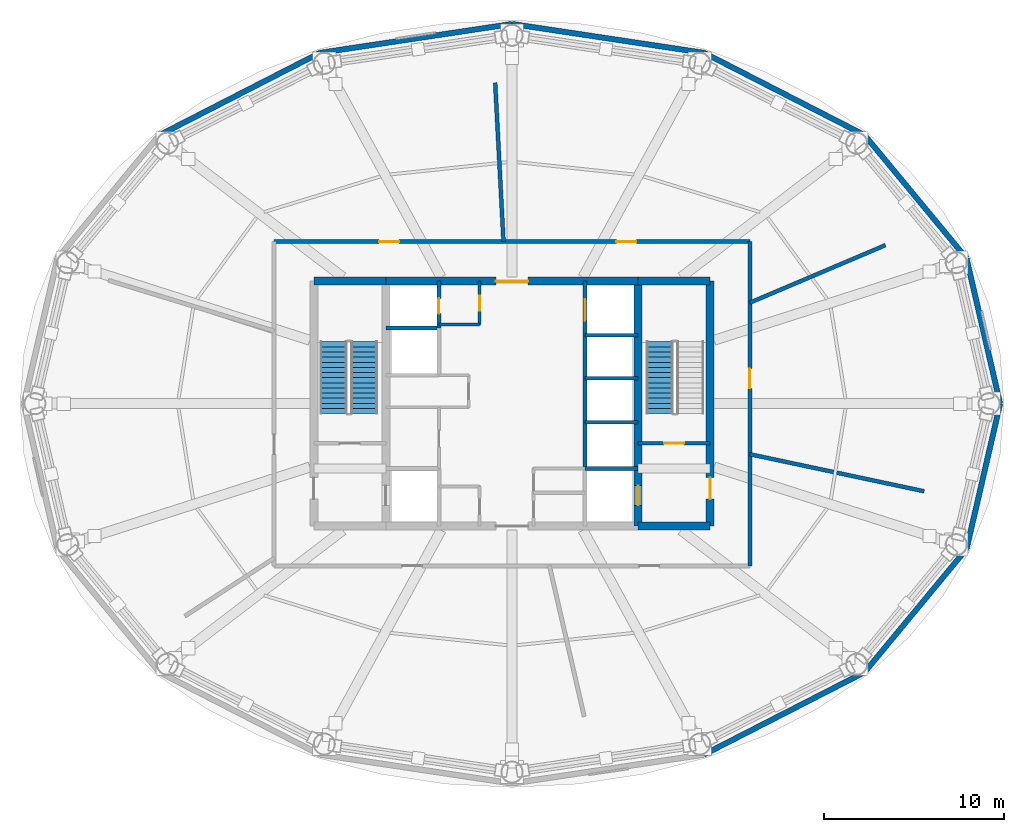
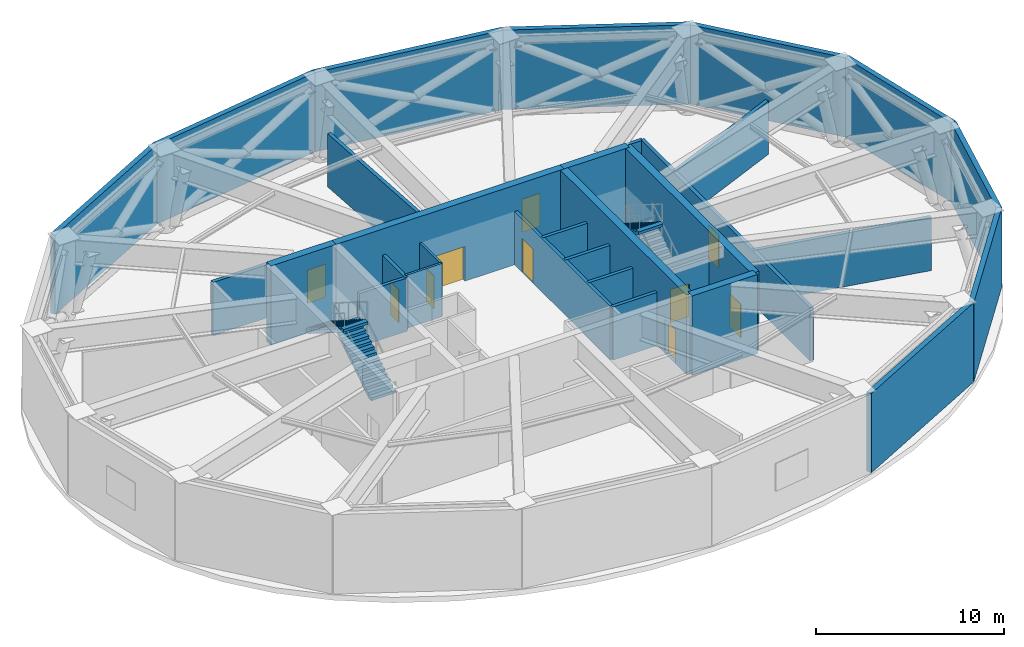
# One storey, part 6 of 8: 30 walls, 10 doors, 3 stair flights, 10 openings, 2 elements without a shape of their own.
"""IFC4 building model written with IfcOpenShell, lengths in metres."""

from ifc_helpers import new_model, si_unit, direction, frame, frame_2d, origin, place, context, subcontext, project, spatial, polyline, rectangle, outline, extrude, material, layer, layer_set, type_object, element, fill, aggregate, save


model = new_model("IFC4")

# Units and contexts
model_context = context("Model", 3, precision=1e-05, world=origin(), true_north=direction((0.0, 1.0)))
body_context = subcontext(model_context, "Body", "Model", "MODEL_VIEW")
ifc_project = project(units=[si_unit("LENGTHUNIT", "METRE"), si_unit("AREAUNIT", "SQUARE_METRE"), si_unit("VOLUMEUNIT", "CUBIC_METRE"), si_unit("PLANEANGLEUNIT", "RADIAN"), si_unit("MASSUNIT", "GRAM", prefix="KILO")], contexts=[model_context])

# Site, building, storey
site_placement = place(None, origin())
site = spatial("IfcSite", under=ifc_project, at=site_placement, CompositionType="ELEMENT")
building_placement = place(site_placement, origin())
building = spatial("IfcBuilding", under=site, at=building_placement, Name="Sarneth Arch Tower", CompositionType="ELEMENT")
storey_placement = place(building_placement, frame((0.0, 0.0, 201.0)))
storey = spatial("IfcBuildingStorey", under=building, at=storey_placement, Name="L51", CompositionType="ELEMENT", Elevation=201.0)

# Walls
ifc_material_1 = material(Name="Concrete C50/60", Category="concrete")
ifc_layer_1 = layer(ifc_material_1, 0.449951171875)
ifc_layer_set_1 = layer_set([ifc_layer_1], Name="Concrete C50/60")
wall_type_1 = type_object("IfcWallType", Name="WALL-CORE-450", PredefinedType="SHEAR", material=ifc_layer_set_1)
for number, where, z_axis, x_axis, name in (
    (1, (55.0, 35.199951171875, 0.0), (0.0, 0.0, 1.0), (1.0, 0.0, 0.0), "L51 Core shear wall S-E"),
    (2, (37.0, 48.800048828125, 0.0), (0.0, 0.0, 1.0), (1.0, 0.0, 0.0), "L51 Core shear wall N-W"),
):
    element("IfcWall", number, at=place(storey_placement, frame(where, z_axis=z_axis, x_axis=x_axis)), inside=storey, type_object=wall_type_1, Name=name, PredefinedType="SHEAR", context=body_context, shape_type="SweptSolid", body=[
        extrude(rectangle(XDim=4.0, YDim=0.449951171875, at=frame_2d((2.0, 0.0))), origin(), (0.0, 0.0, 1.0), 5.14990234375),
    ])

# Wall, opening, door
wall_1_placement = place(storey_placement, frame((41.0, 48.800048828125, 0.0), z_axis=(0.0, 0.0, 1.0), x_axis=(1.0, 0.0, 0.0)))
wall_1 = element("IfcWall", 3, at=wall_1_placement, inside=storey, type_object=wall_type_1, Name="L51 Core shear wall N-M", PredefinedType="SHEAR", context=body_context, shape_type="SweptSolid", body=[
    extrude(rectangle(XDim=14.0, YDim=0.449951171875, at=frame_2d((7.0, 0.0))), origin(), (0.0, 0.0, 1.0), 5.14990234375),
])
opening_1_placement = place(wall_1_placement, frame((6.10009765625, 0.0, 0.0)))
opening_1 = element("IfcOpeningElement", 4, at=opening_1_placement, cuts=wall_1, Name="Opening FD-01", PredefinedType="OPENING", context=body_context, shape_type="SweptSolid", body=[
    extrude(rectangle(XDim=1.800048828125, YDim=2.25, at=frame_2d((0.89990234375, 1.125))), frame((0.0, 0.23486328125, 0.0), z_axis=(0.0, -1.0, 0.0), x_axis=(1.0, 0.0, 0.0)), (0.0, 0.0, 1.0), 0.469970703125),
])
ifc_material_2 = material(Name="Galvanised Steel S275 fire door set", Category="steel")
door_type_1 = type_object("IfcDoorType", Name="DR-FD90-1800", OperationType="DOUBLE_DOOR_SINGLE_SWING", PredefinedType="DOOR", material=ifc_material_2)
door_1_placement = place(opening_1_placement, origin())
door_1 = element("IfcDoor", 5, at=door_1_placement, inside=storey, type_object=door_type_1, Name="L51 Central lift lobby north door", OperationType="DOUBLE_DOOR_SINGLE_SWING", OverallHeight=2.25, OverallWidth=1.800048828125, PredefinedType="DOOR", context=body_context, shape_type="SweptSolid", body=[
    extrude(rectangle(XDim=1.800048828125, YDim=2.25, at=frame_2d((0.89990234375, 1.125))), frame((0.0, 0.02490234375, 0.0), z_axis=(0.0, -1.0, 0.0), x_axis=(1.0, 0.0, 0.0)), (0.0, 0.0, 1.0), 0.050048828125),
])
fill(opening_1, door_1)

# Wall
wall_2_placement = place(storey_placement, frame((55.0, 48.800048828125, 0.0), z_axis=(0.0, 0.0, 1.0), x_axis=(1.0, 0.0, 0.0)))
element("IfcWall", 6, at=wall_2_placement, inside=storey, type_object=wall_type_1, Name="L51 Core shear wall N-E", PredefinedType="SHEAR", context=body_context, shape_type="SweptSolid", body=[
    extrude(rectangle(XDim=4.0, YDim=0.449951171875, at=frame_2d((2.0, 0.0))), origin(), (0.0, 0.0, 1.0), 5.14990234375),
])

# Wall, opening, door
wall_3_placement = place(storey_placement, frame((59.0, 35.199951171875, 0.0), z_axis=(0.0, 0.0, 1.0), x_axis=(0.0, 1.0, 0.0)))
wall_3 = element("IfcWall", 7, at=wall_3_placement, inside=storey, type_object=wall_type_1, Name="L51 Core shear wall E", PredefinedType="SHEAR", context=body_context, shape_type="SweptSolid", body=[
    extrude(rectangle(XDim=13.60009765625, YDim=0.449951171875, at=frame_2d((6.800048828125, 0.0))), origin(), (0.0, 0.0, 1.0), 5.14990234375),
])
opening_2_placement = place(wall_3_placement, frame((1.5, 0.0, 0.0)))
opening_2 = element("IfcOpeningElement", 8, at=opening_2_placement, cuts=wall_3, Name="Opening FD-02", PredefinedType="OPENING", context=body_context, shape_type="SweptSolid", body=[
    extrude(rectangle(XDim=1.199951171875, YDim=2.14990234375, at=frame_2d((0.60009765625, 1.074951171875))), frame((0.0, 0.23486328125, 0.0), z_axis=(0.0, -1.0, 0.0), x_axis=(1.0, 0.0, 0.0)), (0.0, 0.0, 1.0), 0.469970703125),
])
ifc_material_3 = material(Name="Galvanised Steel S275 fire door set", Category="steel")
door_type_2 = type_object("IfcDoorType", Name="DR-FD90-1200", OperationType="SINGLE_SWING_LEFT", PredefinedType="DOOR", material=ifc_material_3)
door_2_placement = place(opening_2_placement, origin())
door_2 = element("IfcDoor", 9, at=door_2_placement, inside=storey, type_object=door_type_2, Name="L51 Firefighting lobby 2 exit door", OperationType="SINGLE_SWING_RIGHT", OverallHeight=2.14990234375, OverallWidth=1.199951171875, PredefinedType="DOOR", context=body_context, shape_type="SweptSolid", body=[
    extrude(rectangle(XDim=1.199951171875, YDim=2.14990234375, at=frame_2d((0.60009765625, 1.074951171875))), frame((0.0, 0.02490234375, 0.0), z_axis=(0.0, -1.0, 0.0), x_axis=(1.0, 0.0, 0.0)), (0.0, 0.0, 1.0), 0.050048828125),
])
fill(opening_2, door_2)

wall_4_placement = place(storey_placement, frame((55.0, 35.199951171875, 0.0), z_axis=(0.0, 0.0, 1.0), x_axis=(0.0, 1.0, 0.0)))
wall_4 = element("IfcWall", 10, at=wall_4_placement, inside=storey, type_object=wall_type_1, Name="L51 Core shear wall WEB-E", PredefinedType="SHEAR", context=body_context, shape_type="SweptSolid", body=[
    extrude(rectangle(XDim=13.60009765625, YDim=0.449951171875, at=frame_2d((6.800048828125, 0.0))), origin(), (0.0, 0.0, 1.0), 5.14990234375),
])
opening_3_placement = place(wall_4_placement, frame((1.14990234375, 0.0, 0.0)))
opening_3 = element("IfcOpeningElement", 11, at=opening_3_placement, cuts=wall_4, Name="Opening LD-1", PredefinedType="OPENING", context=body_context, shape_type="SweptSolid", body=[
    extrude(rectangle(XDim=1.10009765625, YDim=2.199951171875, at=frame_2d((0.550048828125, 1.10009765625))), frame((0.0, 0.23486328125, 0.0), z_axis=(0.0, -1.0, 0.0), x_axis=(1.0, 0.0, 0.0)), (0.0, 0.0, 1.0), 0.469970703125),
])
ifc_material_4 = material(Name="Brushed Stainless Steel 304 lift landing door", Category="steel")
door_type_3 = type_object("IfcDoorType", Name="DR-LIFT-SLIDE-1100", OperationType="SLIDING_TO_LEFT", PredefinedType="DOOR", material=ifc_material_4)
door_3_placement = place(opening_3_placement, origin())
door_3 = element("IfcDoor", 12, at=door_3_placement, inside=storey, type_object=door_type_3, Name="L51 Firefighting lift landing door FL-2", OperationType="SLIDING_TO_RIGHT", OverallHeight=2.199951171875, OverallWidth=1.10009765625, PredefinedType="DOOR", context=body_context, shape_type="SweptSolid", body=[
    extrude(rectangle(XDim=1.10009765625, YDim=2.199951171875, at=frame_2d((0.550048828125, 1.10009765625))), frame((0.0, 0.02490234375, 0.0), z_axis=(0.0, -1.0, 0.0), x_axis=(1.0, 0.0, 0.0)), (0.0, 0.0, 1.0), 0.050048828125),
])
fill(opening_3, door_3)

# Walls
ifc_material_5 = material(Name="Extruded terracotta rainscreen on Concrete C40/50 backing", Category="masonry")
ifc_layer_2 = layer(ifc_material_5, 0.300048828125)
ifc_layer_set_2 = layer_set([ifc_layer_2], Name="Extruded terracotta rainscreen on Concrete C40/50 backing")
wall_type_2 = type_object("IfcWallType", Name="WALL-EXT-ACOUST-300", PredefinedType="SOLIDWALL", material=ifc_layer_set_2)
wall_5_placement = place(storey_placement, frame((75.099365234375, 42.0, 0.0), z_axis=(0.0, 0.0, 1.0), x_axis=(-0.225473184558, 0.974249374157, 0.0)))
element("IfcWall", 13, at=wall_5_placement, inside=storey, type_object=wall_type_2, Name="L51 Terracotta perimeter wall 01", PredefinedType="SOLIDWALL", context=body_context, shape_type="SweptSolid", body=[
    extrude(rectangle(XDim=8.280029296875, YDim=0.300048828125, at=frame_2d((4.14013671875, 0.0))), origin(), (0.0, 0.0, 1.0), 5.14990234375),
])
wall_6_placement = place(storey_placement, frame((73.232421875, 50.06689453125, 0.0), z_axis=(0.0, 0.0, 1.0), x_axis=(-0.637333477683, 0.770588111915, 0.0)))
element("IfcWall", 14, at=wall_6_placement, inside=storey, type_object=wall_type_2, Name="L51 Terracotta perimeter wall 02", PredefinedType="SOLIDWALL", context=body_context, shape_type="SweptSolid", body=[
    extrude(rectangle(XDim=8.874755859375, YDim=0.300048828125, at=frame_2d((4.4375, 0.0))), origin(), (0.0, 0.0, 1.0), 5.14990234375),
])
wall_7_placement = place(storey_placement, frame((67.576171875, 56.90576171875, 0.0), z_axis=(0.0, 0.0, 1.0), x_axis=(-0.889872523182, 0.456209263919, 0.0)))
element("IfcWall", 15, at=wall_7_placement, inside=storey, type_object=wall_type_2, Name="L51 Terracotta perimeter wall 03", PredefinedType="SOLIDWALL", context=body_context, shape_type="SweptSolid", body=[
    extrude(rectangle(XDim=10.016357421875, YDim=0.300048828125, at=frame_2d((5.00830078125, 0.0))), origin(), (0.0, 0.0, 1.0), 5.14990234375),
])
for number, where, z_axis, x_axis, name in (
    (16, (58.662841796875, 61.475341796875, 0.0), (0.0, 0.0, 1.0), (-0.988863993413, 0.148822049884, 0.0), "L51 Terracotta perimeter wall 04"),
    (17, (48.0, 63.080078125, 0.0), (0.0, 0.0, 1.0), (-0.988863993413, -0.148822049884, 0.0), "L51 Terracotta perimeter wall 05"),
):
    element("IfcWall", number, at=place(storey_placement, frame(where, z_axis=z_axis, x_axis=x_axis)), inside=storey, type_object=wall_type_2, Name=name, PredefinedType="SOLIDWALL", context=body_context, shape_type="SweptSolid", body=[
        extrude(rectangle(XDim=10.782958984375, YDim=0.300048828125, at=frame_2d((5.3916015625, 0.0))), origin(), (0.0, 0.0, 1.0), 5.14990234375),
    ])
for number, where, z_axis, x_axis, name in (
    (18, (37.337158203125, 61.475341796875, 0.0), (0.0, 0.0, 1.0), (-0.889872523182, -0.456209263919, 0.0), "L51 Terracotta perimeter wall 06"),
    (19, (58.662841796875, 22.524658203125, 0.0), (0.0, 0.0, 1.0), (0.889872523182, 0.456209263919, 0.0), "L51 Terracotta perimeter wall 14"),
):
    element("IfcWall", number, at=place(storey_placement, frame(where, z_axis=z_axis, x_axis=x_axis)), inside=storey, type_object=wall_type_2, Name=name, PredefinedType="SOLIDWALL", context=body_context, shape_type="SweptSolid", body=[
        extrude(rectangle(XDim=10.016357421875, YDim=0.300048828125, at=frame_2d((5.00830078125, 0.0))), origin(), (0.0, 0.0, 1.0), 5.14990234375),
    ])
wall_8_placement = place(storey_placement, frame((67.576171875, 27.09423828125, 0.0), z_axis=(0.0, 0.0, 1.0), x_axis=(0.637333477683, 0.770588111915, 0.0)))
element("IfcWall", 20, at=wall_8_placement, inside=storey, type_object=wall_type_2, Name="L51 Terracotta perimeter wall 15", PredefinedType="SOLIDWALL", context=body_context, shape_type="SweptSolid", body=[
    extrude(rectangle(XDim=8.874755859375, YDim=0.300048828125, at=frame_2d((4.4375, 0.0))), origin(), (0.0, 0.0, 1.0), 5.14990234375),
])
wall_9_placement = place(storey_placement, frame((73.232421875, 33.93310546875, 0.0), z_axis=(0.0, 0.0, 1.0), x_axis=(0.225473184558, 0.974249374157, 0.0)))
element("IfcWall", 21, at=wall_9_placement, inside=storey, type_object=wall_type_2, Name="L51 Terracotta perimeter wall 16", PredefinedType="SOLIDWALL", context=body_context, shape_type="SweptSolid", body=[
    extrude(rectangle(XDim=8.280029296875, YDim=0.300048828125, at=frame_2d((4.14013671875, 0.0))), origin(), (0.0, 0.0, 1.0), 5.14990234375),
])

# Wall, openings, doors
ifc_material_6 = material(Name="Aerated concrete blockwork C25/30", Category="masonry")
ifc_layer_3 = layer(ifc_material_6, 0.219970703125)
ifc_layer_set_3 = layer_set([ifc_layer_3], Name="Aerated concrete blockwork C25/30")
wall_type_3 = type_object("IfcWallType", Name="WALL-FIRE-220", PredefinedType="SOLIDWALL", material=ifc_layer_set_3)
wall_10_placement = place(storey_placement, frame((34.800048828125, 51.0, 0.0), z_axis=(0.0, 0.0, 1.0), x_axis=(1.0, 0.0, 0.0)))
wall_10 = element("IfcWall", 22, at=wall_10_placement, inside=storey, type_object=wall_type_3, Name="L51 Interior partition W-L51-TP-001", PredefinedType="SOLIDWALL", context=body_context, shape_type="SweptSolid", body=[
    extrude(rectangle(XDim=26.39990234375, YDim=0.219970703125, at=frame_2d((13.199951171875, 0.0))), origin(), (0.0, 0.0, 1.0), 3.449951171875),
])
opening_4_placement = place(wall_10_placement, frame((18.998291015625, 0.0, 0.0)))
opening_4 = element("IfcOpeningElement", 23, at=opening_4_placement, cuts=wall_10, Name="Opening FD-03", PredefinedType="OPENING", context=body_context, shape_type="SweptSolid", body=[
    extrude(rectangle(XDim=1.10009765625, YDim=2.14990234375, at=frame_2d((0.550048828125, 1.074951171875))), frame((0.0, 0.119873046875, 0.0), z_axis=(0.0, -1.0, 0.0), x_axis=(1.0, 0.0, 0.0)), (0.0, 0.0, 1.0), 0.239990234375),
])
opening_5_placement = place(wall_10_placement, frame((5.830078125, 0.0, 0.0)))
opening_5 = element("IfcOpeningElement", 24, at=opening_5_placement, cuts=wall_10, Name="Opening FD-03", PredefinedType="OPENING", context=body_context, shape_type="SweptSolid", body=[
    extrude(rectangle(XDim=1.10009765625, YDim=2.14990234375, at=frame_2d((0.550048828125, 1.074951171875))), frame((0.0, 0.119873046875, 0.0), z_axis=(0.0, -1.0, 0.0), x_axis=(1.0, 0.0, 0.0)), (0.0, 0.0, 1.0), 0.239990234375),
])
ifc_material_7 = material(Name="Galvanised Steel S275 fire door set", Category="steel")
door_type_4 = type_object("IfcDoorType", Name="DR-FD90-1100", OperationType="SINGLE_SWING_LEFT", PredefinedType="DOOR", material=ifc_material_7)
door_4_placement = place(opening_4_placement, origin())
door_4 = element("IfcDoor", 25, at=door_4_placement, inside=storey, type_object=door_type_4, Name="L51 Interior door DR-L51-PSEC-1", OperationType="SINGLE_SWING_LEFT", OverallHeight=2.14990234375, OverallWidth=1.10009765625, PredefinedType="DOOR", context=body_context, shape_type="SweptSolid", body=[
    extrude(rectangle(XDim=1.10009765625, YDim=2.14990234375, at=frame_2d((0.550048828125, 1.074951171875))), frame((0.0, 0.02490234375, 0.0), z_axis=(0.0, -1.0, 0.0), x_axis=(1.0, 0.0, 0.0)), (0.0, 0.0, 1.0), 0.050048828125),
])
fill(opening_4, door_4)
door_5_placement = place(opening_5_placement, origin())
door_5 = element("IfcDoor", 26, at=door_5_placement, inside=storey, type_object=door_type_4, Name="L51 Interior door DR-L51-PSEC-2", OperationType="SINGLE_SWING_LEFT", OverallHeight=2.14990234375, OverallWidth=1.10009765625, PredefinedType="DOOR", context=body_context, shape_type="SweptSolid", body=[
    extrude(rectangle(XDim=1.10009765625, YDim=2.14990234375, at=frame_2d((0.550048828125, 1.074951171875))), frame((0.0, 0.02490234375, 0.0), z_axis=(0.0, -1.0, 0.0), x_axis=(1.0, 0.0, 0.0)), (0.0, 0.0, 1.0), 0.050048828125),
])
fill(opening_5, door_5)

# Walls
wall_11_placement = place(storey_placement, frame((70.88330078125, 37.135986328125, 0.0), z_axis=(0.0, 0.0, 1.0), x_axis=(-0.978145749557, 0.207920399731, 0.0)))
element("IfcWall", 27, at=wall_11_placement, inside=storey, type_object=wall_type_3, Name="L51 Interior partition W-L51-TP-016", PredefinedType="SOLIDWALL", context=body_context, shape_type="SweptSolid", body=[
    extrude(rectangle(XDim=9.899658203125, YDim=0.219970703125, at=frame_2d((4.94970703125, 0.0))), origin(), (0.0, 0.0, 1.0), 3.449951171875),
])
wall_12_placement = place(storey_placement, frame((47.5283203125, 51.0, 0.0), z_axis=(0.0, 0.0, 1.0), x_axis=(-0.052328021339, 0.998629950574, 0.0)))
element("IfcWall", 28, at=wall_12_placement, inside=storey, type_object=wall_type_3, Name="L51 Interior partition W-L51-TP-011", PredefinedType="SOLIDWALL", context=body_context, shape_type="SweptSolid", body=[
    extrude(rectangle(XDim=8.827392578125, YDim=0.219970703125, at=frame_2d((4.41357421875, 0.0))), origin(), (0.0, 0.0, 1.0), 3.449951171875),
])

# Wall, opening, door
wall_13_placement = place(storey_placement, frame((61.199951171875, 51.0, 0.0), z_axis=(0.0, 0.0, 1.0), x_axis=(0.0, -1.0, 0.0)))
wall_13 = element("IfcWall", 29, at=wall_13_placement, inside=storey, type_object=wall_type_3, Name="L51 Interior partition W-L51-TP-010", PredefinedType="SOLIDWALL", context=body_context, shape_type="SweptSolid", body=[
    extrude(rectangle(XDim=18.0, YDim=0.219970703125, at=frame_2d((9.0, 0.0))), origin(), (0.0, 0.0, 1.0), 3.449951171875),
])
opening_6_placement = place(wall_13_placement, frame((7.05029296875, 0.0, 0.0)))
opening_6 = element("IfcOpeningElement", 30, at=opening_6_placement, cuts=wall_13, Name="Opening FD-03", PredefinedType="OPENING", context=body_context, shape_type="SweptSolid", body=[
    extrude(rectangle(XDim=1.10009765625, YDim=2.14990234375, at=frame_2d((0.550048828125, 1.074951171875))), frame((0.0, 0.119873046875, 0.0), z_axis=(0.0, -1.0, 0.0), x_axis=(1.0, 0.0, 0.0)), (0.0, 0.0, 1.0), 0.239990234375),
])
door_6_placement = place(opening_6_placement, origin())
door_6 = element("IfcDoor", 31, at=door_6_placement, inside=storey, type_object=door_type_4, Name="L51 Interior door DR-L51-PSEC-6", OperationType="SINGLE_SWING_RIGHT", OverallHeight=2.14990234375, OverallWidth=1.10009765625, PredefinedType="DOOR", context=body_context, shape_type="SweptSolid", body=[
    extrude(rectangle(XDim=1.10009765625, YDim=2.14990234375, at=frame_2d((0.550048828125, 1.074951171875))), frame((0.0, 0.02490234375, 0.0), z_axis=(0.0, -1.0, 0.0), x_axis=(1.0, 0.0, 0.0)), (0.0, 0.0, 1.0), 0.050048828125),
])
fill(opening_6, door_6)

# Walls
wall_14_placement = place(storey_placement, frame((61.199951171875, 47.60302734375, 0.0), z_axis=(0.0, 0.0, 1.0), x_axis=(0.920503441048, 0.390734455889, 0.0)))
element("IfcWall", 32, at=wall_14_placement, inside=storey, type_object=wall_type_3, Name="L51 Interior partition W-L51-TP-012", PredefinedType="SOLIDWALL", context=body_context, shape_type="SweptSolid", body=[
    extrude(rectangle(XDim=8.1845703125, YDim=0.219970703125, at=frame_2d((4.09228515625, 0.0))), origin(), (0.0, 0.0, 1.0), 3.449951171875),
])
ifc_material_8 = material(Name="Acoustic gypsum stud partition", Category="gypsum")
ifc_layer_4 = layer(ifc_material_8, 0.14990234375)
ifc_layer_set_4 = layer_set([ifc_layer_4], Name="Acoustic gypsum stud partition")
wall_type_4 = type_object("IfcWallType", Name="WALL-PART-150", PredefinedType="PARTITIONING", material=ifc_layer_set_4)
wall_15_placement = place(storey_placement, frame((43.949951171875, 46.39990234375, 0.0), z_axis=(0.0, 0.0, 1.0), x_axis=(1.0, 0.0, 0.0)))
element("IfcWall", 33, at=wall_15_placement, inside=storey, type_object=wall_type_4, Name="L51 Interior partition W-L51-CSUP2-S", PredefinedType="PARTITIONING", context=body_context, shape_type="SweptSolid", body=[
    extrude(rectangle(XDim=2.25, YDim=0.14990234375, at=frame_2d((1.125, 0.0))), origin(), (0.0, 0.0, 1.0), 3.449951171875),
])

# Wall, opening, door
wall_16_placement = place(storey_placement, frame((46.199951171875, 46.39990234375, 0.0), z_axis=(0.0, 0.0, 1.0), x_axis=(0.0, 1.0, 0.0)))
wall_16 = element("IfcWall", 34, at=wall_16_placement, inside=storey, type_object=wall_type_4, Name="L51 Interior partition W-L51-CSUP2-E", PredefinedType="PARTITIONING", context=body_context, shape_type="SweptSolid", body=[
    extrude(rectangle(XDim=2.400146484375, YDim=0.14990234375, at=frame_2d((1.2001953125, 0.0))), origin(), (0.0, 0.0, 1.0), 3.449951171875),
])
opening_7_placement = place(wall_16_placement, frame((0.75, 0.0, 0.0)))
opening_7 = element("IfcOpeningElement", 35, at=opening_7_placement, cuts=wall_16, Name="Opening FD-11", PredefinedType="OPENING", context=body_context, shape_type="SweptSolid", body=[
    extrude(rectangle(XDim=0.85009765625, YDim=2.14990234375, at=frame_2d((0.425048828125, 1.074951171875))), frame((0.0, 0.0849609375, 0.0), z_axis=(0.0, -1.0, 0.0), x_axis=(1.0, 0.0, 0.0)), (0.0, 0.0, 1.0), 0.169921875),
])
ifc_material_9 = material(Name="Galvanised Steel S275 closet fire door", Category="steel")
door_type_5 = type_object("IfcDoorType", Name="DR-FD60-850", OperationType="SINGLE_SWING_LEFT", PredefinedType="DOOR", material=ifc_material_9)
door_7_placement = place(opening_7_placement, origin())
door_7 = element("IfcDoor", 36, at=door_7_placement, inside=storey, type_object=door_type_5, Name="L51 Interior door DR-L51-CSUP2", OperationType="SINGLE_SWING_RIGHT", OverallHeight=2.14990234375, OverallWidth=0.85009765625, PredefinedType="DOOR", context=body_context, shape_type="SweptSolid", body=[
    extrude(rectangle(XDim=0.85009765625, YDim=2.14990234375, at=frame_2d((0.425048828125, 1.074951171875))), frame((0.0, 0.02490234375, 0.0), z_axis=(0.0, -1.0, 0.0), x_axis=(1.0, 0.0, 0.0)), (0.0, 0.0, 1.0), 0.050048828125),
])
fill(opening_7, door_7)

ifc_material_10 = material(Name="Aerated concrete blockwork C25/30", Category="masonry")
ifc_layer_5 = layer(ifc_material_10, 0.199951171875)
ifc_layer_set_5 = layer_set([ifc_layer_5], Name="Aerated concrete blockwork C25/30")
wall_type_5 = type_object("IfcWallType", Name="WALL-SHAFT-200", PredefinedType="SOLIDWALL", material=ifc_layer_set_5)
wall_17_placement = place(storey_placement, frame((55.0, 39.800048828125, 0.0), z_axis=(0.0, 0.0, 1.0), x_axis=(1.0, 0.0, 0.0)))
wall_17 = element("IfcWall", 37, at=wall_17_placement, inside=storey, type_object=wall_type_5, Name="L51 Interior partition W-L51-ST2-S", PredefinedType="SOLIDWALL", context=body_context, shape_type="SweptSolid", body=[
    extrude(rectangle(XDim=4.0, YDim=0.199951171875, at=frame_2d((2.0, 0.0))), origin(), (0.0, 0.0, 1.0), 3.449951171875),
])
opening_8_placement = place(wall_17_placement, frame((1.449951171875, 0.0, 0.0)))
opening_8 = element("IfcOpeningElement", 38, at=opening_8_placement, cuts=wall_17, Name="Opening FD-03", PredefinedType="OPENING", context=body_context, shape_type="SweptSolid", body=[
    extrude(rectangle(XDim=1.10009765625, YDim=2.14990234375, at=frame_2d((0.550048828125, 1.074951171875))), frame((0.0, 0.10986328125, 0.0), z_axis=(0.0, -1.0, 0.0), x_axis=(1.0, 0.0, 0.0)), (0.0, 0.0, 1.0), 0.219970703125),
])
door_8_placement = place(opening_8_placement, origin())
door_8 = element("IfcDoor", 39, at=door_8_placement, inside=storey, type_object=door_type_4, Name="L51 Interior door DR-L51-ST2", OperationType="SINGLE_SWING_RIGHT", OverallHeight=2.14990234375, OverallWidth=1.10009765625, PredefinedType="DOOR", context=body_context, shape_type="SweptSolid", body=[
    extrude(rectangle(XDim=1.10009765625, YDim=2.14990234375, at=frame_2d((0.550048828125, 1.074951171875))), frame((0.0, 0.02490234375, 0.0), z_axis=(0.0, -1.0, 0.0), x_axis=(1.0, 0.0, 0.0)), (0.0, 0.0, 1.0), 0.050048828125),
])
fill(opening_8, door_8)

# Walls
for number, where, z_axis, x_axis, name in (
    (40, (52.050048828125, 38.39990234375, 0.0), (0.0, 0.0, 1.0), (1.0, 0.0, 0.0), "L51 Interior partition W-L51-FL2-N"),
    (41, (41.0, 46.199951171875, 0.0), (0.0, 0.0, 1.0), (1.0, 0.0, 0.0), "L51 Interior partition W-L51-RISER-S"),
):
    element("IfcWall", number, at=place(storey_placement, frame(where, z_axis=z_axis, x_axis=x_axis)), inside=storey, type_object=wall_type_5, Name=name, PredefinedType="SOLIDWALL", context=body_context, shape_type="SweptSolid", body=[
        extrude(rectangle(XDim=2.949951171875, YDim=0.199951171875, at=frame_2d((1.47509765625, 0.0))), origin(), (0.0, 0.0, 1.0), 3.449951171875),
    ])

# Wall, opening, door
wall_18_placement = place(storey_placement, frame((43.949951171875, 46.199951171875, 0.0), z_axis=(0.0, 0.0, 1.0), x_axis=(0.0, 1.0, 0.0)))
wall_18 = element("IfcWall", 42, at=wall_18_placement, inside=storey, type_object=wall_type_5, Name="L51 Interior partition W-L51-RISER-E", PredefinedType="SOLIDWALL", context=body_context, shape_type="SweptSolid", body=[
    extrude(rectangle(XDim=2.60009765625, YDim=0.199951171875, at=frame_2d((1.300048828125, 0.0))), origin(), (0.0, 0.0, 1.0), 3.449951171875),
])
opening_9_placement = place(wall_18_placement, frame((0.800048828125, 0.0, 0.0)))
opening_9 = element("IfcOpeningElement", 43, at=opening_9_placement, cuts=wall_18, Name="Opening FD-11", PredefinedType="OPENING", context=body_context, shape_type="SweptSolid", body=[
    extrude(rectangle(XDim=0.85009765625, YDim=2.14990234375, at=frame_2d((0.425048828125, 1.074951171875))), frame((0.0, 0.10986328125, 0.0), z_axis=(0.0, -1.0, 0.0), x_axis=(1.0, 0.0, 0.0)), (0.0, 0.0, 1.0), 0.219970703125),
])
door_9_placement = place(opening_9_placement, origin())
door_9 = element("IfcDoor", 44, at=door_9_placement, inside=storey, type_object=door_type_5, Name="L51 Lift landing door DR-L51-RISER", OperationType="SINGLE_SWING_LEFT", OverallHeight=2.14990234375, OverallWidth=0.85009765625, PredefinedType="DOOR", context=body_context, shape_type="SweptSolid", body=[
    extrude(rectangle(XDim=0.85009765625, YDim=2.14990234375, at=frame_2d((0.425048828125, 1.074951171875))), frame((0.0, 0.02490234375, 0.0), z_axis=(0.0, -1.0, 0.0), x_axis=(1.0, 0.0, 0.0)), (0.0, 0.0, 1.0), 0.050048828125),
])
fill(opening_9, door_9)

wall_19_placement = place(storey_placement, frame((52.050048828125, 38.39990234375, 0.0), z_axis=(0.0, 0.0, 1.0), x_axis=(0.0, 1.0, 0.0)))
wall_19 = element("IfcWall", 45, at=wall_19_placement, inside=storey, type_object=wall_type_5, Name="L51 Interior partition W-L51-EASTBANK-FRONT", PredefinedType="SOLIDWALL", context=body_context, shape_type="SweptSolid", body=[
    extrude(rectangle(XDim=10.400146484375, YDim=0.199951171875, at=frame_2d((5.2001953125, 0.0))), origin(), (0.0, 0.0, 1.0), 3.449951171875),
])
opening_10_placement = place(wall_19_placement, frame((8.199951171875, 0.0, 0.0)))
opening_10 = element("IfcOpeningElement", 46, at=opening_10_placement, cuts=wall_19, Name="Opening LD-2", PredefinedType="OPENING", context=body_context, shape_type="SweptSolid", body=[
    extrude(rectangle(XDim=1.199951171875, YDim=2.199951171875, at=frame_2d((0.60009765625, 1.10009765625))), frame((0.0, 0.10986328125, 0.0), z_axis=(0.0, -1.0, 0.0), x_axis=(1.0, 0.0, 0.0)), (0.0, 0.0, 1.0), 0.219970703125),
])
ifc_material_11 = material(Name="Brushed Stainless Steel 304 service lift door", Category="steel")
door_type_6 = type_object("IfcDoorType", Name="DR-LIFT-SLIDE-1200", OperationType="SLIDING_TO_RIGHT", PredefinedType="DOOR", material=ifc_material_11)
door_10_placement = place(opening_10_placement, origin())
door_10 = element("IfcDoor", 47, at=door_10_placement, inside=storey, type_object=door_type_6, Name="L51 Lift landing door DR-L51-LD-SL1", OperationType="SLIDING_TO_RIGHT", OverallHeight=2.199951171875, OverallWidth=1.199951171875, PredefinedType="DOOR", context=body_context, shape_type="SweptSolid", body=[
    extrude(rectangle(XDim=1.199951171875, YDim=2.199951171875, at=frame_2d((0.60009765625, 1.10009765625))), frame((0.0, 0.02490234375, 0.0), z_axis=(0.0, -1.0, 0.0), x_axis=(1.0, 0.0, 0.0)), (0.0, 0.0, 1.0), 0.050048828125),
])
fill(opening_10, door_10)

# Walls
for number, where, z_axis, x_axis, name in (
    (48, (52.050048828125, 40.97998046875, 0.0), (0.0, 0.0, 1.0), (1.0, 0.0, 0.0), "L51 Interior partition W-L51-EB-DIV-4098"),
    (49, (52.050048828125, 43.419921875, 0.0), (0.0, 0.0, 1.0), (1.0, 0.0, 0.0), "L51 Interior partition W-L51-EB-DIV-4342"),
    (50, (52.050048828125, 45.800048828125, 0.0), (0.0, 0.0, 1.0), (1.0, 0.0, 0.0), "L51 Interior partition W-L51-EB-DIV-4580"),
):
    element("IfcWall", number, at=place(storey_placement, frame(where, z_axis=z_axis, x_axis=x_axis)), inside=storey, type_object=wall_type_5, Name=name, PredefinedType="SOLIDWALL", context=body_context, shape_type="SweptSolid", body=[
        extrude(rectangle(XDim=2.949951171875, YDim=0.199951171875, at=frame_2d((1.47509765625, 0.0))), origin(), (0.0, 0.0, 1.0), 3.449951171875),
    ])

# Stair, stair flights
ifc_material_12 = material(Name="Concrete C50/60", Category="concrete")
stair_type = type_object("IfcStairType", Name="STAIR-CORE-RC", PredefinedType="HALF_TURN_STAIR", material=ifc_material_12)
stair_1_placement = place(storey_placement, origin())
stair_1 = element("IfcStair", 51, at=stair_1_placement, inside=storey, type_object=stair_type, Name="L51 Core Exit Stair 1", PredefinedType="HALF_TURN_STAIR")
ifc_material_13 = material(Name="Concrete C50/60", Category="concrete")
stair_flight_type = type_object("IfcStairFlightType", Name="FLIGHT-RC-1500", PredefinedType="STRAIGHT", material=ifc_material_13)
stair_flight_1_placement = place(storey_placement, frame((39.800048828125, 41.449951171875, 0.0), z_axis=(0.0, 0.0, 1.0), x_axis=(0.0, 1.0, 0.0)))
stair_flight_1 = element("IfcStairFlight", 52, at=stair_flight_1_placement, type_object=stair_flight_type, Name="ST-1 flight 1", NumberOfRisers=15, NumberOfTreads=14, PredefinedType="STRAIGHT", RiserHeight=0.18, TreadLength=0.285, context=body_context, shape_type="SweptSolid", body=[
    extrude(outline(polyline([(0.0, 0.0), (0.0, 0.179931640625), (0.284912109375, 0.179931640625), (0.284912109375, 0.360107421875), (0.570068359375, 0.360107421875), (0.570068359375, 0.5400390625), (0.85498046875, 0.5400390625), (0.85498046875, 0.719970703125), (1.139892578125, 0.719970703125), (1.139892578125, 0.89990234375), (1.425048828125, 0.89990234375), (1.425048828125, 1.080078125), (1.7099609375, 1.080078125), (1.7099609375, 1.260009765625), (1.9951171875, 1.260009765625), (1.9951171875, 1.43994140625), (2.280029296875, 1.43994140625), (2.280029296875, 1.6201171875), (2.56494140625, 1.6201171875), (2.56494140625, 1.800048828125), (2.85009765625, 1.800048828125), (2.85009765625, 1.97998046875), (3.135009765625, 1.97998046875), (3.135009765625, 2.159912109375), (3.419921875, 2.159912109375), (3.419921875, 2.340087890625), (3.705078125, 2.340087890625), (3.705078125, 2.52001953125), (3.989990234375, 2.52001953125), (3.989990234375, 2.699951171875), (3.989990234375, 2.3427734375), (0.28076171875, 0.0), (0.0, 0.0)])), frame((0.0, 0.75, 0.0), z_axis=(0.0, -1.0, 0.0), x_axis=(1.0, 0.0, 0.0)), (0.0, 0.0, 1.0), 1.5),
])
stair_flight_2_placement = place(storey_placement, frame((38.10009765625, 45.43994140625, 2.699951171875), z_axis=(0.0, 0.0, 1.0), x_axis=(0.0, -1.0, 0.0)))
stair_flight_2 = element("IfcStairFlight", 53, at=stair_flight_2_placement, type_object=stair_flight_type, Name="ST-1 flight 2", NumberOfRisers=15, NumberOfTreads=14, PredefinedType="STRAIGHT", RiserHeight=0.18, TreadLength=0.285, context=body_context, shape_type="SweptSolid", body=[
    extrude(outline(polyline([(0.0, 0.0), (0.0, 0.179931640625), (0.284912109375, 0.179931640625), (0.284912109375, 0.360107421875), (0.570068359375, 0.360107421875), (0.570068359375, 0.5400390625), (0.85498046875, 0.5400390625), (0.85498046875, 0.719970703125), (1.139892578125, 0.719970703125), (1.139892578125, 0.89990234375), (1.425048828125, 0.89990234375), (1.425048828125, 1.080078125), (1.7099609375, 1.080078125), (1.7099609375, 1.260009765625), (1.9951171875, 1.260009765625), (1.9951171875, 1.43994140625), (2.280029296875, 1.43994140625), (2.280029296875, 1.6201171875), (2.56494140625, 1.6201171875), (2.56494140625, 1.800048828125), (2.85009765625, 1.800048828125), (2.85009765625, 1.97998046875), (3.135009765625, 1.97998046875), (3.135009765625, 2.159912109375), (3.419921875, 2.159912109375), (3.419921875, 2.340087890625), (3.705078125, 2.340087890625), (3.705078125, 2.52001953125), (3.989990234375, 2.52001953125), (3.989990234375, 2.699951171875), (3.989990234375, 2.3427734375), (0.28076171875, 0.0), (0.0, 0.0)])), frame((0.0, 0.75, 0.0), z_axis=(0.0, -1.0, 0.0), x_axis=(1.0, 0.0, 0.0)), (0.0, 0.0, 1.0), 1.5),
])
aggregate(stair_1, [stair_flight_1, stair_flight_2])

# Stair, stair flight
stair_2_placement = place(storey_placement, origin())
stair_2 = element("IfcStair", 54, at=stair_2_placement, inside=storey, type_object=stair_type, Name="L51 Core Exit Stair 2", PredefinedType="HALF_TURN_STAIR")
stair_flight_3_placement = place(storey_placement, frame((56.199951171875, 45.43994140625, 2.699951171875), z_axis=(0.0, 0.0, 1.0), x_axis=(0.0, -1.0, 0.0)))
stair_flight_3 = element("IfcStairFlight", 55, at=stair_flight_3_placement, type_object=stair_flight_type, Name="ST-2 flight 2", NumberOfRisers=15, NumberOfTreads=14, PredefinedType="STRAIGHT", RiserHeight=0.18, TreadLength=0.285, context=body_context, shape_type="SweptSolid", body=[
    extrude(outline(polyline([(0.0, 0.0), (0.0, 0.179931640625), (0.284912109375, 0.179931640625), (0.284912109375, 0.360107421875), (0.570068359375, 0.360107421875), (0.570068359375, 0.5400390625), (0.85498046875, 0.5400390625), (0.85498046875, 0.719970703125), (1.139892578125, 0.719970703125), (1.139892578125, 0.89990234375), (1.425048828125, 0.89990234375), (1.425048828125, 1.080078125), (1.7099609375, 1.080078125), (1.7099609375, 1.260009765625), (1.9951171875, 1.260009765625), (1.9951171875, 1.43994140625), (2.280029296875, 1.43994140625), (2.280029296875, 1.6201171875), (2.56494140625, 1.6201171875), (2.56494140625, 1.800048828125), (2.85009765625, 1.800048828125), (2.85009765625, 1.97998046875), (3.135009765625, 1.97998046875), (3.135009765625, 2.159912109375), (3.419921875, 2.159912109375), (3.419921875, 2.340087890625), (3.705078125, 2.340087890625), (3.705078125, 2.52001953125), (3.989990234375, 2.52001953125), (3.989990234375, 2.699951171875), (3.989990234375, 2.3427734375), (0.28076171875, 0.0), (0.0, 0.0)])), frame((0.0, 0.75, 0.0), z_axis=(0.0, -1.0, 0.0), x_axis=(1.0, 0.0, 0.0)), (0.0, 0.0, 1.0), 1.5),
])
aggregate(stair_2, [stair_flight_3])

save(model, "model.ifc")
